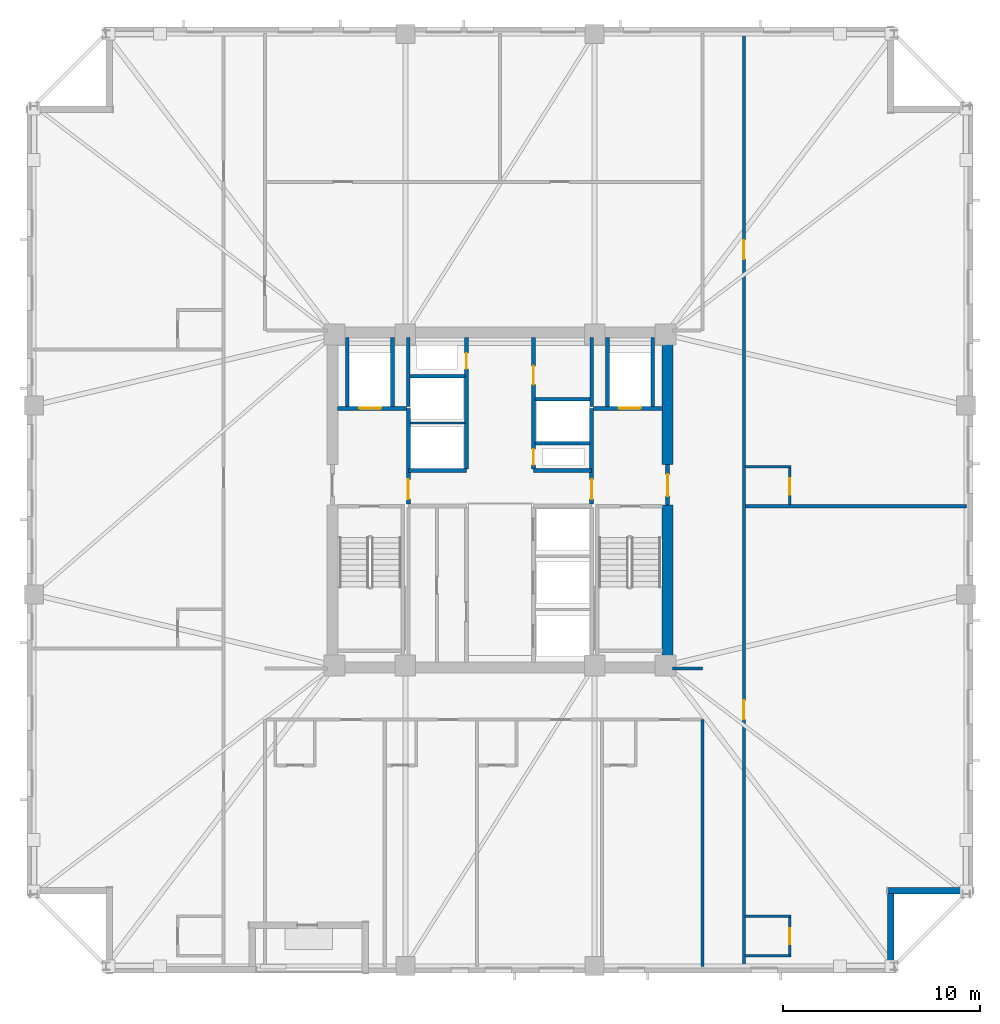
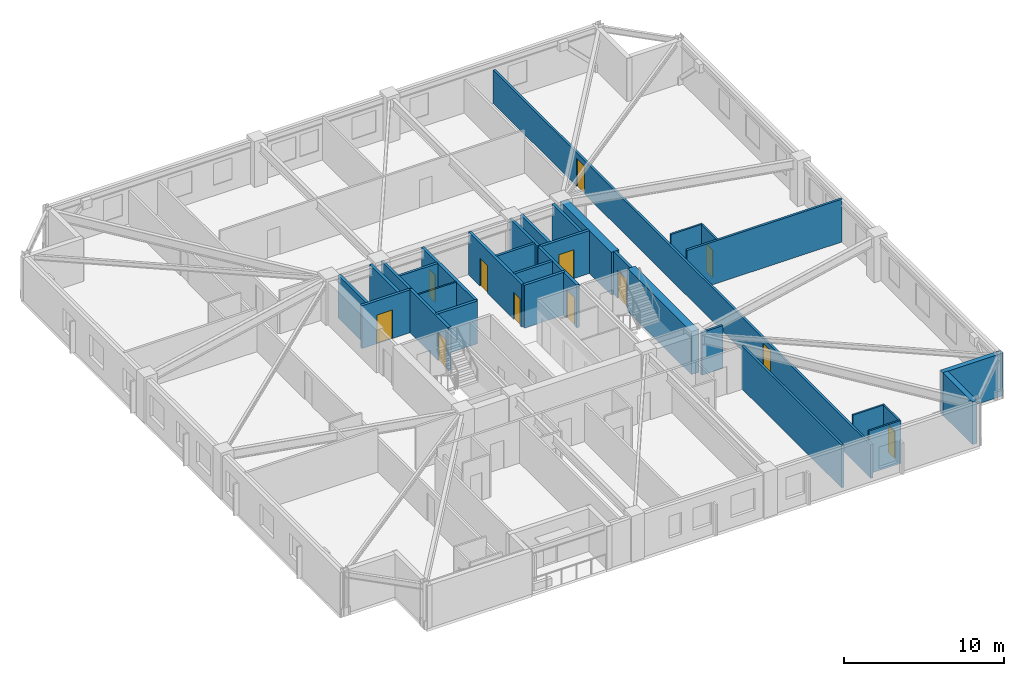
# One storey, part 4 of 11: 32 walls, 12 doors, 12 openings.
"""IFC4 building model written with IfcOpenShell, lengths in metres."""

from ifc_helpers import new_model, si_unit, direction, frame, frame_2d, origin, place, context, subcontext, project, spatial, rectangle, extrude, material, layer, layer_set, type_object, element, fill, save


model = new_model("IFC4")

# Units and contexts
model_context = context("Model", 3, precision=1e-05, world=origin(), true_north=direction((0.0, 1.0)))
body_context = subcontext(model_context, "Body", "Model", "MODEL_VIEW")
ifc_project = project(units=[si_unit("LENGTHUNIT", "METRE"), si_unit("AREAUNIT", "SQUARE_METRE"), si_unit("VOLUMEUNIT", "CUBIC_METRE"), si_unit("PLANEANGLEUNIT", "RADIAN"), si_unit("MASSUNIT", "GRAM", prefix="KILO")], contexts=[model_context])

# Site, building, storey
site_placement = place(None, origin())
site = spatial("IfcSite", under=ifc_project, at=site_placement, CompositionType="ELEMENT")
building_placement = place(site_placement, origin())
building = spatial("IfcBuilding", under=site, at=building_placement, Name="Cairnveth Concourse Tower", CompositionType="ELEMENT")
storey_placement = place(building_placement, frame((0.0, 0.0, 141.0)))
storey = spatial("IfcBuildingStorey", under=building, at=storey_placement, Name="L38", CompositionType="ELEMENT", Elevation=141.0)

# Wall, openings, doors
ifc_material_1 = material(Name="Gypsum Plasterboard Partition", Category="gypsum")
ifc_layer_1 = layer(ifc_material_1, 0.159912109375)
ifc_layer_set_1 = layer_set([ifc_layer_1], Name="Gypsum Plasterboard Partition")
wall_type_1 = type_object("IfcWallType", Name="ACOUSTIC PARTY WALL 180", PredefinedType="PARTITIONING", material=ifc_layer_set_1)
wall_1_placement = place(storey_placement, frame((64.375, 15.324951171875, 0.0), z_axis=(0.0, 0.0, 1.0), x_axis=(0.0, 1.0, 0.0)))
wall_1 = element("IfcWall", 1, at=wall_1_placement, inside=storey, type_object=wall_type_1, Name="Interior Wall IW-L38-041", PredefinedType="PARTITIONING", context=body_context, shape_type="SweptSolid", body=[
    extrude(rectangle(XDim=47.35009765625, YDim=0.159912109375, at=frame_2d((23.675048828125, 0.0))), origin(), (0.0, 0.0, 1.0), 2.554931640625),
])
opening_1_placement = place(wall_1_placement, frame((12.546630859375, 0.0, 0.0)))
opening_1 = element("IfcOpeningElement", 2, at=opening_1_placement, cuts=wall_1, Name="Opening ID09", PredefinedType="OPENING", context=body_context, shape_type="SweptSolid", body=[
    extrude(rectangle(XDim=0.9599609375, YDim=2.14990234375, at=frame_2d((0.47998046875, 1.074951171875))), frame((0.0, 0.08984375, 0.0), z_axis=(0.0, -1.0, 0.0), x_axis=(1.0, 0.0, 0.0)), (0.0, 0.0, 1.0), 0.179931640625),
])
opening_2_placement = place(wall_1_placement, frame((35.901611328125, 0.0, 0.0)))
opening_2 = element("IfcOpeningElement", 3, at=opening_2_placement, cuts=wall_1, Name="Opening ID09", PredefinedType="OPENING", context=body_context, shape_type="SweptSolid", body=[
    extrude(rectangle(XDim=0.9599609375, YDim=2.14990234375, at=frame_2d((0.47998046875, 1.074951171875))), frame((0.0, 0.08984375, 0.0), z_axis=(0.0, -1.0, 0.0), x_axis=(1.0, 0.0, 0.0)), (0.0, 0.0, 1.0), 0.179931640625),
])
ifc_material_2 = material(Name="Solid Core Hardwood Timber Leaf", Category="wood")
door_type_1 = type_object("IfcDoorType", Name="HOTEL ENTRANCE DOOR 960X2150", OperationType="NOTDEFINED", PredefinedType="DOOR", material=ifc_material_2)
door_1_placement = place(opening_1_placement, origin())
door_1 = element("IfcDoor", 4, at=door_1_placement, inside=storey, type_object=door_type_1, Name="Hotel Room Door L38-E1", OperationType="SINGLE_SWING_LEFT", OverallHeight=2.14990234375, OverallWidth=0.9599609375, PredefinedType="DOOR", context=body_context, shape_type="SweptSolid", body=[
    extrude(rectangle(XDim=0.9599609375, YDim=2.14990234375, at=frame_2d((0.47998046875, 1.074951171875))), frame((0.0, 0.02490234375, 0.0), z_axis=(0.0, -1.0, 0.0), x_axis=(1.0, 0.0, 0.0)), (0.0, 0.0, 1.0), 0.050048828125),
])
fill(opening_1, door_1)
door_2_placement = place(opening_2_placement, origin())
door_2 = element("IfcDoor", 5, at=door_2_placement, inside=storey, type_object=door_type_1, Name="Hotel Room Door L38-E2", OperationType="SINGLE_SWING_LEFT", OverallHeight=2.14990234375, OverallWidth=0.9599609375, PredefinedType="DOOR", context=body_context, shape_type="SweptSolid", body=[
    extrude(rectangle(XDim=0.9599609375, YDim=2.14990234375, at=frame_2d((0.47998046875, 1.074951171875))), frame((0.0, 0.02490234375, 0.0), z_axis=(0.0, -1.0, 0.0), x_axis=(1.0, 0.0, 0.0)), (0.0, 0.0, 1.0), 0.050048828125),
])
fill(opening_2, door_2)

# Walls
wall_2_placement = place(storey_placement, frame((62.27490234375, 15.324951171875, 0.0), z_axis=(0.0, 0.0, 1.0), x_axis=(0.0, 1.0, 0.0)))
element("IfcWall", 6, at=wall_2_placement, inside=storey, type_object=wall_type_1, Name="Interior Wall IW-L38-042", PredefinedType="PARTITIONING", context=body_context, shape_type="SweptSolid", body=[
    extrude(rectangle(XDim=12.53515625, YDim=0.159912109375, at=frame_2d((6.267578125, 0.0))), origin(), (0.0, 0.0, 1.0), 3.280029296875),
])
wall_3_placement = place(storey_placement, frame((60.764892578125, 30.449951171875, 0.0), z_axis=(0.0, 0.0, 1.0), x_axis=(1.0, 0.0, 0.0)))
element("IfcWall", 7, at=wall_3_placement, inside=storey, type_object=wall_type_1, Name="Interior Wall IW-L38-044", PredefinedType="PARTITIONING", context=body_context, shape_type="SweptSolid", body=[
    extrude(rectangle(XDim=1.510009765625, YDim=0.159912109375, at=frame_2d((0.7548828125, 0.0))), origin(), (0.0, 0.0, 1.0), 3.280029296875),
])
wall_4_placement = place(storey_placement, frame((64.455078125, 38.68310546875, 0.0), z_axis=(0.0, 0.0, 1.0), x_axis=(1.0, 0.0, 0.0)))
element("IfcWall", 8, at=wall_4_placement, inside=storey, type_object=wall_type_1, Name="Interior Wall IW-L38-073", PredefinedType="PARTITIONING", context=body_context, shape_type="SweptSolid", body=[
    extrude(rectangle(XDim=11.219970703125, YDim=0.159912109375, at=frame_2d((5.60986328125, 0.0))), origin(), (0.0, 0.0, 1.0), 3.280029296875),
])
ifc_material_3 = material(Name="Concrete N80 (80 MPa)", Category="concrete")
ifc_layer_2 = layer(ifc_material_3, 0.550048828125)
ifc_layer_set_2 = layer_set([ifc_layer_2], Name="Concrete N80 (80 MPa)")
wall_type_2 = type_object("IfcWallType", Name="CORE SHEAR WALL 550", PredefinedType="SHEAR", material=ifc_layer_set_2)
wall_5_placement = place(storey_placement, frame((60.5, 30.764892578125, 0.0), z_axis=(0.0, 0.0, 1.0), x_axis=(0.0, 1.0, 0.0)))
element("IfcWall", 9, at=wall_5_placement, inside=storey, type_object=wall_type_2, Name="Core East Shear Wall S L38", PredefinedType="SHEAR", context=body_context, shape_type="SweptSolid", body=[
    extrude(rectangle(XDim=7.985107421875, YDim=0.550048828125, at=frame_2d((3.99267578125, 0.0))), origin(), (0.0, 0.0, 1.0), 3.280029296875),
])
wall_6_placement = place(storey_placement, frame((60.5, 40.800048828125, 0.0), z_axis=(0.0, 0.0, 1.0), x_axis=(0.0, 1.0, 0.0)))
element("IfcWall", 10, at=wall_6_placement, inside=storey, type_object=wall_type_2, Name="Core East Shear Wall N L38", PredefinedType="SHEAR", context=body_context, shape_type="SweptSolid", body=[
    extrude(rectangle(XDim=6.43505859375, YDim=0.550048828125, at=frame_2d((3.217529296875, 0.0))), origin(), (0.0, 0.0, 1.0), 3.280029296875),
])
ifc_material_4 = material(Name="Concrete N50 (50 MPa)", Category="concrete")
ifc_layer_3 = layer(ifc_material_4, 0.179931640625)
ifc_layer_set_3 = layer_set([ifc_layer_3], Name="Concrete N50 (50 MPa)")
wall_type_3 = type_object("IfcWallType", Name="FIRE SHAFT WALL 180", PredefinedType="SOLIDWALL", material=ifc_layer_set_3)
wall_7_placement = place(storey_placement, frame((47.35009765625, 43.735107421875, 0.0), z_axis=(0.0, 0.0, 1.0), x_axis=(0.0, 1.0, 0.0)))
element("IfcWall", 11, at=wall_7_placement, inside=storey, type_object=wall_type_3, Name="Interior Wall IW-L38-030", PredefinedType="SOLIDWALL", context=body_context, shape_type="SweptSolid", body=[
    extrude(rectangle(XDim=3.5048828125, YDim=0.179931640625, at=frame_2d((1.75244140625, 0.0))), origin(), (0.0, 0.0, 1.0), 3.280029296875),
])
wall_8_placement = place(storey_placement, frame((47.425048828125, 45.280029296875, 0.0), z_axis=(0.0, 0.0, 1.0), x_axis=(1.0, 0.0, 0.0)))
element("IfcWall", 12, at=wall_8_placement, inside=storey, type_object=wall_type_3, Name="Interior Wall IW-L38-032", PredefinedType="SOLIDWALL", context=body_context, shape_type="SweptSolid", body=[
    extrude(rectangle(XDim=2.7900390625, YDim=0.179931640625, at=frame_2d((1.39501953125, 0.0))), origin(), (0.0, 0.0, 1.0), 3.280029296875),
])
wall_9_placement = place(storey_placement, frame((56.64990234375, 43.735107421875, 0.0), z_axis=(0.0, 0.0, 1.0), x_axis=(0.0, 1.0, 0.0)))
element("IfcWall", 13, at=wall_9_placement, inside=storey, type_object=wall_type_3, Name="Interior Wall IW-L38-033", PredefinedType="SOLIDWALL", context=body_context, shape_type="SweptSolid", body=[
    extrude(rectangle(XDim=3.5048828125, YDim=0.179931640625, at=frame_2d((1.75244140625, 0.0))), origin(), (0.0, 0.0, 1.0), 3.280029296875),
])
wall_10_placement = place(storey_placement, frame((53.784912109375, 41.8798828125, 0.0), z_axis=(0.0, 0.0, 1.0), x_axis=(1.0, 0.0, 0.0)))
element("IfcWall", 14, at=wall_10_placement, inside=storey, type_object=wall_type_3, Name="Interior Wall IW-L38-034", PredefinedType="SOLIDWALL", context=body_context, shape_type="SweptSolid", body=[
    extrude(rectangle(XDim=2.780029296875, YDim=0.179931640625, at=frame_2d((1.39013671875, 0.0))), origin(), (0.0, 0.0, 1.0), 3.280029296875),
])
wall_11_placement = place(storey_placement, frame((53.784912109375, 44.1201171875, 0.0), z_axis=(0.0, 0.0, 1.0), x_axis=(1.0, 0.0, 0.0)))
element("IfcWall", 15, at=wall_11_placement, inside=storey, type_object=wall_type_3, Name="Interior Wall IW-L38-035", PredefinedType="SOLIDWALL", context=body_context, shape_type="SweptSolid", body=[
    extrude(rectangle(XDim=2.7900390625, YDim=0.179931640625, at=frame_2d((1.39501953125, 0.0))), origin(), (0.0, 0.0, 1.0), 3.280029296875),
])
ifc_layer_4 = layer(ifc_material_4, 0.199951171875)
ifc_layer_set_4 = layer_set([ifc_layer_4], Name="Concrete N50 (50 MPa)")
wall_type_4 = type_object("IfcWallType", Name="FIRE SHAFT WALL 200", PredefinedType="SOLIDWALL", material=ifc_layer_set_4)
for number, where, z_axis, x_axis, name in (
    (16, (47.35009765625, 40.5, 0.0), (0.0, 0.0, 1.0), (1.0, 0.0, 0.0), "Interior Wall IW-L38-008"),
    (17, (53.699951171875, 40.5, 0.0), (0.0, 0.0, 1.0), (1.0, 0.0, 0.0), "Interior Wall IW-L38-010"),
):
    element("IfcWall", number, at=place(storey_placement, frame(where, z_axis=z_axis, x_axis=x_axis)), inside=storey, type_object=wall_type_4, Name=name, PredefinedType="SOLIDWALL", context=body_context, shape_type="SweptSolid", body=[
        extrude(rectangle(XDim=2.949951171875, YDim=0.199951171875, at=frame_2d((1.47509765625, 0.0))), origin(), (0.0, 0.0, 1.0), 3.280029296875),
    ])

# Wall, opening, door
wall_12_placement = place(storey_placement, frame((50.300048828125, 40.5849609375, 0.0), z_axis=(0.0, 0.0, 1.0), x_axis=(0.0, 1.0, 0.0)))
wall_12 = element("IfcWall", 18, at=wall_12_placement, inside=storey, type_object=wall_type_4, Name="Interior Wall IW-L38-013", PredefinedType="SOLIDWALL", context=body_context, shape_type="SweptSolid", body=[
    extrude(rectangle(XDim=6.655029296875, YDim=0.199951171875, at=frame_2d((3.32763671875, 0.0))), origin(), (0.0, 0.0, 1.0), 3.280029296875),
])
opening_3_placement = place(wall_12_placement, frame((5.06494140625, 0.0, 0.0)))
opening_3 = element("IfcOpeningElement", 19, at=opening_3_placement, cuts=wall_12, Name="Opening ID24", PredefinedType="OPENING", context=body_context, shape_type="SweptSolid", body=[
    extrude(rectangle(XDim=0.800048828125, YDim=2.080078125, at=frame_2d((0.39990234375, 1.0400390625))), frame((0.0, 0.10986328125, 0.0), z_axis=(0.0, -1.0, 0.0), x_axis=(1.0, 0.0, 0.0)), (0.0, 0.0, 1.0), 0.219970703125),
])
ifc_material_5 = material(Name="Steel Grade 350", Category="steel")
door_type_2 = type_object("IfcDoorType", Name="RISER ACCESS DOOR 800X2100", OperationType="NOTDEFINED", PredefinedType="DOOR", material=ifc_material_5)
door_3_placement = place(opening_3_placement, origin())
door_3 = element("IfcDoor", 20, at=door_3_placement, inside=storey, type_object=door_type_2, Name="NW Electrical Riser Access Door L38", OperationType="SINGLE_SWING_RIGHT", OverallHeight=2.080078125, OverallWidth=0.800048828125, PredefinedType="DOOR", context=body_context, shape_type="SweptSolid", body=[
    extrude(rectangle(XDim=0.800048828125, YDim=2.080078125, at=frame_2d((0.39990234375, 1.0400390625))), frame((0.0, 0.02490234375, 0.0), z_axis=(0.0, -1.0, 0.0), x_axis=(1.0, 0.0, 0.0)), (0.0, 0.0, 1.0), 0.050048828125),
])
fill(opening_3, door_3)

# Wall, openings, doors
wall_13_placement = place(storey_placement, frame((53.699951171875, 40.5849609375, 0.0), z_axis=(0.0, 0.0, 1.0), x_axis=(0.0, 1.0, 0.0)))
wall_13 = element("IfcWall", 21, at=wall_13_placement, inside=storey, type_object=wall_type_4, Name="Interior Wall IW-L38-014", PredefinedType="SOLIDWALL", context=body_context, shape_type="SweptSolid", body=[
    extrude(rectangle(XDim=6.655029296875, YDim=0.199951171875, at=frame_2d((3.32763671875, 0.0))), origin(), (0.0, 0.0, 1.0), 3.280029296875),
])
opening_4_placement = place(wall_13_placement, frame((0.195068359375, 0.0, 0.0)))
opening_4 = element("IfcOpeningElement", 22, at=opening_4_placement, cuts=wall_13, Name="Opening ID24", PredefinedType="OPENING", context=body_context, shape_type="SweptSolid", body=[
    extrude(rectangle(XDim=0.800048828125, YDim=2.080078125, at=frame_2d((0.39990234375, 1.0400390625))), frame((0.0, 0.10986328125, 0.0), z_axis=(0.0, -1.0, 0.0), x_axis=(1.0, 0.0, 0.0)), (0.0, 0.0, 1.0), 0.219970703125),
])
opening_5_placement = place(wall_13_placement, frame((4.264892578125, 0.0, 0.0)))
opening_5 = element("IfcOpeningElement", 23, at=opening_5_placement, cuts=wall_13, Name="Opening ID25", PredefinedType="OPENING", context=body_context, shape_type="SweptSolid", body=[
    extrude(rectangle(XDim=0.949951171875, YDim=2.1201171875, at=frame_2d((0.47509765625, 1.06005859375))), frame((0.0, 0.10986328125, 0.0), z_axis=(0.0, -1.0, 0.0), x_axis=(1.0, 0.0, 0.0)), (0.0, 0.0, 1.0), 0.219970703125),
])
door_type_3 = type_object("IfcDoorType", Name="CORE ACCESSIBLE FIRE DOOR 950X2120", OperationType="NOTDEFINED", PredefinedType="DOOR", material=ifc_material_5)
door_4_placement = place(opening_5_placement, origin())
door_4 = element("IfcDoor", 24, at=door_4_placement, inside=storey, type_object=door_type_3, Name="Core NE Accessible WC Door L38", OperationType="SINGLE_SWING_RIGHT", OverallHeight=2.1201171875, OverallWidth=0.949951171875, PredefinedType="DOOR", context=body_context, shape_type="SweptSolid", body=[
    extrude(rectangle(XDim=0.949951171875, YDim=2.1201171875, at=frame_2d((0.47509765625, 1.06005859375))), frame((0.0, 0.02490234375, 0.0), z_axis=(0.0, -1.0, 0.0), x_axis=(1.0, 0.0, 0.0)), (0.0, 0.0, 1.0), 0.050048828125),
])
fill(opening_5, door_4)
door_5_placement = place(opening_4_placement, origin())
door_5 = element("IfcDoor", 25, at=door_5_placement, inside=storey, type_object=door_type_2, Name="Hydraulic Riser Door L38", OperationType="SINGLE_SWING_LEFT", OverallHeight=2.080078125, OverallWidth=0.800048828125, PredefinedType="DOOR", context=body_context, shape_type="SweptSolid", body=[
    extrude(rectangle(XDim=0.800048828125, YDim=2.080078125, at=frame_2d((0.39990234375, 1.0400390625))), frame((0.0, 0.02490234375, 0.0), z_axis=(0.0, -1.0, 0.0), x_axis=(1.0, 0.0, 0.0)), (0.0, 0.0, 1.0), 0.050048828125),
])
fill(opening_4, door_5)

# Wall, opening, door
wall_14_placement = place(storey_placement, frame((47.35009765625, 38.784912109375, 0.0), z_axis=(0.0, 0.0, 1.0), x_axis=(0.0, 1.0, 0.0)))
wall_14 = element("IfcWall", 26, at=wall_14_placement, inside=storey, type_object=wall_type_4, Name="Interior Wall IW-L38-016", PredefinedType="SOLIDWALL", context=body_context, shape_type="SweptSolid", body=[
    extrude(rectangle(XDim=4.864990234375, YDim=0.199951171875, at=frame_2d((2.4326171875, 0.0))), origin(), (0.0, 0.0, 1.0), 3.280029296875),
])
opening_6_placement = place(wall_14_placement, frame((0.264892578125, 0.0, 0.0)))
opening_6 = element("IfcOpeningElement", 27, at=opening_6_placement, cuts=wall_14, Name="Opening ID07", PredefinedType="OPENING", context=body_context, shape_type="SweptSolid", body=[
    extrude(rectangle(XDim=1.0, YDim=2.14990234375, at=frame_2d((0.5, 1.074951171875))), frame((0.0, 0.10986328125, 0.0), z_axis=(0.0, -1.0, 0.0), x_axis=(1.0, 0.0, 0.0)), (0.0, 0.0, 1.0), 0.219970703125),
])
door_type_4 = type_object("IfcDoorType", Name="FIRE CORRIDOR DOOR 1000X2150", OperationType="NOTDEFINED", PredefinedType="DOOR", material=ifc_material_5)
door_6_placement = place(opening_6_placement, origin())
door_6 = element("IfcDoor", 28, at=door_6_placement, inside=storey, type_object=door_type_4, Name="FF Lobby West to Lift Lobby Door L38", OperationType="SINGLE_SWING_RIGHT", OverallHeight=2.14990234375, OverallWidth=1.0, PredefinedType="DOOR", context=body_context, shape_type="SweptSolid", body=[
    extrude(rectangle(XDim=1.0, YDim=2.14990234375, at=frame_2d((0.5, 1.074951171875))), frame((0.0, 0.02490234375, 0.0), z_axis=(0.0, -1.0, 0.0), x_axis=(1.0, 0.0, 0.0)), (0.0, 0.0, 1.0), 0.050048828125),
])
fill(opening_6, door_6)

wall_15_placement = place(storey_placement, frame((43.760009765625, 43.64990234375, 0.0), z_axis=(0.0, 0.0, 1.0), x_axis=(1.0, 0.0, 0.0)))
wall_15 = element("IfcWall", 29, at=wall_15_placement, inside=storey, type_object=wall_type_4, Name="Interior Wall IW-L38-017", PredefinedType="SOLIDWALL", context=body_context, shape_type="SweptSolid", body=[
    extrude(rectangle(XDim=3.5048828125, YDim=0.199951171875, at=frame_2d((1.75244140625, 0.0))), origin(), (0.0, 0.0, 1.0), 3.280029296875),
])
opening_7_placement = place(wall_15_placement, frame((1.110107421875, 0.0, 0.0)))
opening_7 = element("IfcOpeningElement", 30, at=opening_7_placement, cuts=wall_15, Name="Opening LD-1", PredefinedType="OPENING", context=body_context, shape_type="SweptSolid", body=[
    extrude(rectangle(XDim=1.10009765625, YDim=2.199951171875, at=frame_2d((0.550048828125, 1.10009765625))), frame((0.0, 0.10986328125, 0.0), z_axis=(0.0, -1.0, 0.0), x_axis=(1.0, 0.0, 0.0)), (0.0, 0.0, 1.0), 0.219970703125),
])
ifc_material_6 = material(Name="Architectural Bronze Anodised Aluminium 6063-T6", Category="aluminium")
door_type_5 = type_object("IfcDoorType", Name="LIFT LANDING DOOR 1100X2200", OperationType="SLIDING_TO_LEFT", PredefinedType="DOOR", material=ifc_material_6)
door_7_placement = place(opening_7_placement, origin())
door_7 = element("IfcDoor", 31, at=door_7_placement, inside=storey, type_object=door_type_5, Name="Lift FFL1 Landing Door L38", OperationType="SLIDING_TO_LEFT", OverallHeight=2.199951171875, OverallWidth=1.10009765625, PredefinedType="DOOR", context=body_context, shape_type="SweptSolid", body=[
    extrude(rectangle(XDim=1.10009765625, YDim=2.199951171875, at=frame_2d((0.550048828125, 1.10009765625))), frame((0.0, 0.02490234375, 0.0), z_axis=(0.0, -1.0, 0.0), x_axis=(1.0, 0.0, 0.0)), (0.0, 0.0, 1.0), 0.050048828125),
])
fill(opening_7, door_7)

# Walls
for number, where, z_axis, x_axis, name in (
    (32, (46.550048828125, 43.735107421875, 0.0), (0.0, 0.0, 1.0), (0.0, 1.0, 0.0), "Interior Wall IW-L38-018"),
    (33, (44.25, 43.735107421875, 0.0), (0.0, 0.0, 1.0), (0.0, 1.0, 0.0), "Interior Wall IW-L38-019"),
):
    element("IfcWall", number, at=place(storey_placement, frame(where, z_axis=z_axis, x_axis=x_axis)), inside=storey, type_object=wall_type_4, Name=name, PredefinedType="SOLIDWALL", context=body_context, shape_type="SweptSolid", body=[
        extrude(rectangle(XDim=3.5048828125, YDim=0.199951171875, at=frame_2d((1.75244140625, 0.0))), origin(), (0.0, 0.0, 1.0), 3.280029296875),
    ])

# Wall, opening, door
wall_16_placement = place(storey_placement, frame((60.5, 38.75, 0.0), z_axis=(0.0, 0.0, 1.0), x_axis=(0.0, 1.0, 0.0)))
wall_16 = element("IfcWall", 34, at=wall_16_placement, inside=storey, type_object=wall_type_4, Name="Interior Wall IW-L38-020", PredefinedType="SOLIDWALL", context=body_context, shape_type="SweptSolid", body=[
    extrude(rectangle(XDim=2.050048828125, YDim=0.199951171875, at=frame_2d((1.02490234375, 0.0))), origin(), (0.0, 0.0, 1.0), 3.280029296875),
])
opening_8_placement = place(wall_16_placement, frame((0.449951171875, 0.0, 0.0)))
opening_8 = element("IfcOpeningElement", 35, at=opening_8_placement, cuts=wall_16, Name="Opening ID06", PredefinedType="OPENING", context=body_context, shape_type="SweptSolid", body=[
    extrude(rectangle(XDim=1.10009765625, YDim=2.14990234375, at=frame_2d((0.550048828125, 1.074951171875))), frame((0.0, 0.10986328125, 0.0), z_axis=(0.0, -1.0, 0.0), x_axis=(1.0, 0.0, 0.0)), (0.0, 0.0, 1.0), 0.219970703125),
])
door_type_6 = type_object("IfcDoorType", Name="FIRE CORRIDOR DOOR 1100X2150", OperationType="NOTDEFINED", PredefinedType="DOOR", material=ifc_material_5)
door_8_placement = place(opening_8_placement, origin())
door_8 = element("IfcDoor", 36, at=door_8_placement, inside=storey, type_object=door_type_6, Name="East Wing to FF Lobby Door L38", OperationType="SINGLE_SWING_RIGHT", OverallHeight=2.14990234375, OverallWidth=1.10009765625, PredefinedType="DOOR", context=body_context, shape_type="SweptSolid", body=[
    extrude(rectangle(XDim=1.10009765625, YDim=2.14990234375, at=frame_2d((0.550048828125, 1.074951171875))), frame((0.0, 0.02490234375, 0.0), z_axis=(0.0, -1.0, 0.0), x_axis=(1.0, 0.0, 0.0)), (0.0, 0.0, 1.0), 0.050048828125),
])
fill(opening_8, door_8)

wall_17_placement = place(storey_placement, frame((56.64990234375, 38.784912109375, 0.0), z_axis=(0.0, 0.0, 1.0), x_axis=(0.0, 1.0, 0.0)))
wall_17 = element("IfcWall", 37, at=wall_17_placement, inside=storey, type_object=wall_type_4, Name="Interior Wall IW-L38-021", PredefinedType="SOLIDWALL", context=body_context, shape_type="SweptSolid", body=[
    extrude(rectangle(XDim=4.864990234375, YDim=0.199951171875, at=frame_2d((2.4326171875, 0.0))), origin(), (0.0, 0.0, 1.0), 3.280029296875),
])
opening_9_placement = place(wall_17_placement, frame((0.264892578125, 0.0, 0.0)))
opening_9 = element("IfcOpeningElement", 38, at=opening_9_placement, cuts=wall_17, Name="Opening ID07", PredefinedType="OPENING", context=body_context, shape_type="SweptSolid", body=[
    extrude(rectangle(XDim=1.0, YDim=2.14990234375, at=frame_2d((0.5, 1.074951171875))), frame((0.0, 0.10986328125, 0.0), z_axis=(0.0, -1.0, 0.0), x_axis=(1.0, 0.0, 0.0)), (0.0, 0.0, 1.0), 0.219970703125),
])
door_9_placement = place(opening_9_placement, origin())
door_9 = element("IfcDoor", 39, at=door_9_placement, inside=storey, type_object=door_type_4, Name="FF Lobby East to Lift Lobby Door L38", OperationType="SINGLE_SWING_LEFT", OverallHeight=2.14990234375, OverallWidth=1.0, PredefinedType="DOOR", context=body_context, shape_type="SweptSolid", body=[
    extrude(rectangle(XDim=1.0, YDim=2.14990234375, at=frame_2d((0.5, 1.074951171875))), frame((0.0, 0.02490234375, 0.0), z_axis=(0.0, -1.0, 0.0), x_axis=(1.0, 0.0, 0.0)), (0.0, 0.0, 1.0), 0.050048828125),
])
fill(opening_9, door_9)

wall_18_placement = place(storey_placement, frame((56.735107421875, 43.64990234375, 0.0), z_axis=(0.0, 0.0, 1.0), x_axis=(1.0, 0.0, 0.0)))
wall_18 = element("IfcWall", 40, at=wall_18_placement, inside=storey, type_object=wall_type_4, Name="Interior Wall IW-L38-022", PredefinedType="SOLIDWALL", context=body_context, shape_type="SweptSolid", body=[
    extrude(rectangle(XDim=3.5048828125, YDim=0.199951171875, at=frame_2d((1.75244140625, 0.0))), origin(), (0.0, 0.0, 1.0), 3.280029296875),
])
opening_10_placement = place(wall_18_placement, frame((1.294921875, 0.0, 0.0)))
opening_10 = element("IfcOpeningElement", 41, at=opening_10_placement, cuts=wall_18, Name="Opening LD-1", PredefinedType="OPENING", context=body_context, shape_type="SweptSolid", body=[
    extrude(rectangle(XDim=1.10009765625, YDim=2.199951171875, at=frame_2d((0.550048828125, 1.10009765625))), frame((0.0, 0.10986328125, 0.0), z_axis=(0.0, -1.0, 0.0), x_axis=(1.0, 0.0, 0.0)), (0.0, 0.0, 1.0), 0.219970703125),
])
door_10_placement = place(opening_10_placement, origin())
door_10 = element("IfcDoor", 42, at=door_10_placement, inside=storey, type_object=door_type_5, Name="Lift FFL2 Landing Door L38", OperationType="SLIDING_TO_LEFT", OverallHeight=2.199951171875, OverallWidth=1.10009765625, PredefinedType="DOOR", context=body_context, shape_type="SweptSolid", body=[
    extrude(rectangle(XDim=1.10009765625, YDim=2.199951171875, at=frame_2d((0.550048828125, 1.10009765625))), frame((0.0, 0.02490234375, 0.0), z_axis=(0.0, -1.0, 0.0), x_axis=(1.0, 0.0, 0.0)), (0.0, 0.0, 1.0), 0.050048828125),
])
fill(opening_10, door_10)

# Walls
for number, where, z_axis, x_axis, name in (
    (43, (57.449951171875, 43.735107421875, 0.0), (0.0, 0.0, 1.0), (0.0, 1.0, 0.0), "Interior Wall IW-L38-023"),
    (44, (59.75, 43.735107421875, 0.0), (0.0, 0.0, 1.0), (0.0, 1.0, 0.0), "Interior Wall IW-L38-024"),
):
    element("IfcWall", number, at=place(storey_placement, frame(where, z_axis=z_axis, x_axis=x_axis)), inside=storey, type_object=wall_type_4, Name=name, PredefinedType="SOLIDWALL", context=body_context, shape_type="SweptSolid", body=[
        extrude(rectangle(XDim=3.5048828125, YDim=0.199951171875, at=frame_2d((1.75244140625, 0.0))), origin(), (0.0, 0.0, 1.0), 3.280029296875),
    ])
ifc_layer_5 = layer(ifc_material_1, 0.110107421875)
ifc_layer_set_5 = layer_set([ifc_layer_5], Name="Gypsum Plasterboard Partition")
wall_type_5 = type_object("IfcWallType", Name="SHAFT DIVIDER WALL 140", PredefinedType="PARTITIONING", material=ifc_layer_set_5)
wall_19_placement = place(storey_placement, frame((47.43505859375, 42.89990234375, 0.0), z_axis=(0.0, 0.0, 1.0), x_axis=(1.0, 0.0, 0.0)))
element("IfcWall", 45, at=wall_19_placement, inside=storey, type_object=wall_type_5, Name="Interior Wall IW-L38-031", PredefinedType="PARTITIONING", context=body_context, shape_type="SweptSolid", body=[
    extrude(rectangle(XDim=2.780029296875, YDim=0.110107421875, at=frame_2d((1.39013671875, 0.0))), origin(), (0.0, 0.0, 1.0), 3.280029296875),
])
ifc_layer_6 = layer(ifc_material_1, 0.1298828125)
ifc_layer_set_6 = layer_set([ifc_layer_6], Name="Gypsum Plasterboard Partition")
wall_type_6 = type_object("IfcWallType", Name="WET AREA PARTITION 140", PredefinedType="PLUMBINGWALL", material=ifc_layer_set_6)
for number, where, z_axis, x_axis, name in (
    (46, (64.43994140625, 15.8701171875, 0.0), (0.0, 0.0, 1.0), (1.0, 0.0, 0.0), "Interior Wall IW-L38-070"),
    (47, (64.43994140625, 17.8701171875, 0.0), (0.0, 0.0, 1.0), (1.0, 0.0, 0.0), "Interior Wall IW-L38-071"),
):
    element("IfcWall", number, at=place(storey_placement, frame(where, z_axis=z_axis, x_axis=x_axis)), inside=storey, type_object=wall_type_6, Name=name, PredefinedType="PLUMBINGWALL", context=body_context, shape_type="SweptSolid", body=[
        extrude(rectangle(XDim=2.31494140625, YDim=0.1298828125, at=frame_2d((1.157470703125, 0.0))), origin(), (0.0, 0.0, 1.0), 3.280029296875),
    ])

# Wall, opening, door
wall_20_placement = place(storey_placement, frame((66.705078125, 15.919921875, 0.0), z_axis=(0.0, 0.0, 1.0), x_axis=(0.0, 1.0, 0.0)))
wall_20 = element("IfcWall", 48, at=wall_20_placement, inside=storey, type_object=wall_type_6, Name="Interior Wall IW-L38-072", PredefinedType="PLUMBINGWALL", context=body_context, shape_type="SweptSolid", body=[
    extrude(rectangle(XDim=1.900146484375, YDim=0.1298828125, at=frame_2d((0.9501953125, 0.0))), origin(), (0.0, 0.0, 1.0), 3.280029296875),
])
opening_11_placement = place(wall_20_placement, frame((0.5400390625, 0.0, 0.0)))
opening_11 = element("IfcOpeningElement", 49, at=opening_11_placement, cuts=wall_20, Name="Opening ID22", PredefinedType="OPENING", context=body_context, shape_type="SweptSolid", body=[
    extrude(rectangle(XDim=0.820068359375, YDim=2.10009765625, at=frame_2d((0.41015625, 1.050048828125))), frame((0.0, 0.074951171875, 0.0), z_axis=(0.0, -1.0, 0.0), x_axis=(1.0, 0.0, 0.0)), (0.0, 0.0, 1.0), 0.14990234375),
])
door_type_7 = type_object("IfcDoorType", Name="INTERIOR WC DOOR 820X2100", OperationType="NOTDEFINED", PredefinedType="DOOR", material=ifc_material_2)
door_11_placement = place(opening_11_placement, origin())
door_11 = element("IfcDoor", 50, at=door_11_placement, inside=storey, type_object=door_type_7, Name="En-Suite Door L38-E1", OperationType="SINGLE_SWING_RIGHT", OverallHeight=2.10009765625, OverallWidth=0.820068359375, PredefinedType="DOOR", context=body_context, shape_type="SweptSolid", body=[
    extrude(rectangle(XDim=0.820068359375, YDim=2.10009765625, at=frame_2d((0.41015625, 1.050048828125))), frame((0.0, 0.02490234375, 0.0), z_axis=(0.0, -1.0, 0.0), x_axis=(1.0, 0.0, 0.0)), (0.0, 0.0, 1.0), 0.050048828125),
])
fill(opening_11, door_11)

# Wall
wall_21_placement = place(storey_placement, frame((64.43994140625, 40.68310546875, 0.0), z_axis=(0.0, 0.0, 1.0), x_axis=(1.0, 0.0, 0.0)))
element("IfcWall", 51, at=wall_21_placement, inside=storey, type_object=wall_type_6, Name="Interior Wall IW-L38-074", PredefinedType="PLUMBINGWALL", context=body_context, shape_type="SweptSolid", body=[
    extrude(rectangle(XDim=2.31494140625, YDim=0.1298828125, at=frame_2d((1.157470703125, 0.0))), origin(), (0.0, 0.0, 1.0), 3.280029296875),
])

# Wall, opening, door
wall_22_placement = place(storey_placement, frame((66.705078125, 38.748046875, 0.0), z_axis=(0.0, 0.0, 1.0), x_axis=(0.0, 1.0, 0.0)))
wall_22 = element("IfcWall", 52, at=wall_22_placement, inside=storey, type_object=wall_type_6, Name="Interior Wall IW-L38-075", PredefinedType="PLUMBINGWALL", context=body_context, shape_type="SweptSolid", body=[
    extrude(rectangle(XDim=1.885009765625, YDim=0.1298828125, at=frame_2d((0.9423828125, 0.0))), origin(), (0.0, 0.0, 1.0), 3.280029296875),
])
opening_12_placement = place(wall_22_placement, frame((0.52490234375, 0.0, 0.0)))
opening_12 = element("IfcOpeningElement", 53, at=opening_12_placement, cuts=wall_22, Name="Opening ID22", PredefinedType="OPENING", context=body_context, shape_type="SweptSolid", body=[
    extrude(rectangle(XDim=0.820068359375, YDim=2.10009765625, at=frame_2d((0.41015625, 1.050048828125))), frame((0.0, 0.074951171875, 0.0), z_axis=(0.0, -1.0, 0.0), x_axis=(1.0, 0.0, 0.0)), (0.0, 0.0, 1.0), 0.14990234375),
])
door_12_placement = place(opening_12_placement, origin())
door_12 = element("IfcDoor", 54, at=door_12_placement, inside=storey, type_object=door_type_7, Name="En-Suite Door L38-E2", OperationType="SINGLE_SWING_RIGHT", OverallHeight=2.10009765625, OverallWidth=0.820068359375, PredefinedType="DOOR", context=body_context, shape_type="SweptSolid", body=[
    extrude(rectangle(XDim=0.820068359375, YDim=2.10009765625, at=frame_2d((0.41015625, 1.050048828125))), frame((0.0, 0.02490234375, 0.0), z_axis=(0.0, -1.0, 0.0), x_axis=(1.0, 0.0, 0.0)), (0.0, 0.0, 1.0), 0.050048828125),
])
fill(opening_12, door_12)

# Walls
ifc_material_7 = material(Name="Hawthorn Red-Ochre Fired Clay Brick Masonry", Category="masonry")
ifc_layer_7 = layer(ifc_material_7, 0.340087890625)
ifc_layer_set_7 = layer_set([ifc_layer_7], Name="Hawthorn Red-Ochre Fired Clay Brick Masonry")
wall_type_7 = type_object("IfcWallType", Name="ZONE 2 BRICK PIER SPANDREL WALL 340", PredefinedType="SOLIDWALL", material=ifc_layer_set_7)
wall_23_placement = place(storey_placement, frame((76.0, 19.169921875, 0.0), z_axis=(0.0, 0.0, 1.0), x_axis=(-1.0, 0.0, 0.0)))
element("IfcWall", 55, at=wall_23_placement, inside=storey, type_object=wall_type_7, Name="Exterior Wall EW-L38-S10", PredefinedType="SOLIDWALL", context=body_context, shape_type="SweptSolid", body=[
    extrude(rectangle(XDim=4.340087890625, YDim=0.340087890625, at=frame_2d((2.169921875, 0.0))), origin(), (0.0, 0.0, 1.0), 3.280029296875),
])
wall_24_placement = place(storey_placement, frame((71.830078125, 19.02197265625, 0.0), z_axis=(0.0, 0.0, 1.0), x_axis=(0.0, -1.0, 0.0)))
element("IfcWall", 56, at=wall_24_placement, inside=storey, type_object=wall_type_7, Name="Exterior Wall EW-L38-S11", PredefinedType="SOLIDWALL", context=body_context, shape_type="SweptSolid", body=[
    extrude(rectangle(XDim=3.703857421875, YDim=0.340087890625, at=frame_2d((1.85205078125, 0.0))), origin(), (0.0, 0.0, 1.0), 3.280029296875),
])

save(model, "model.ifc")
